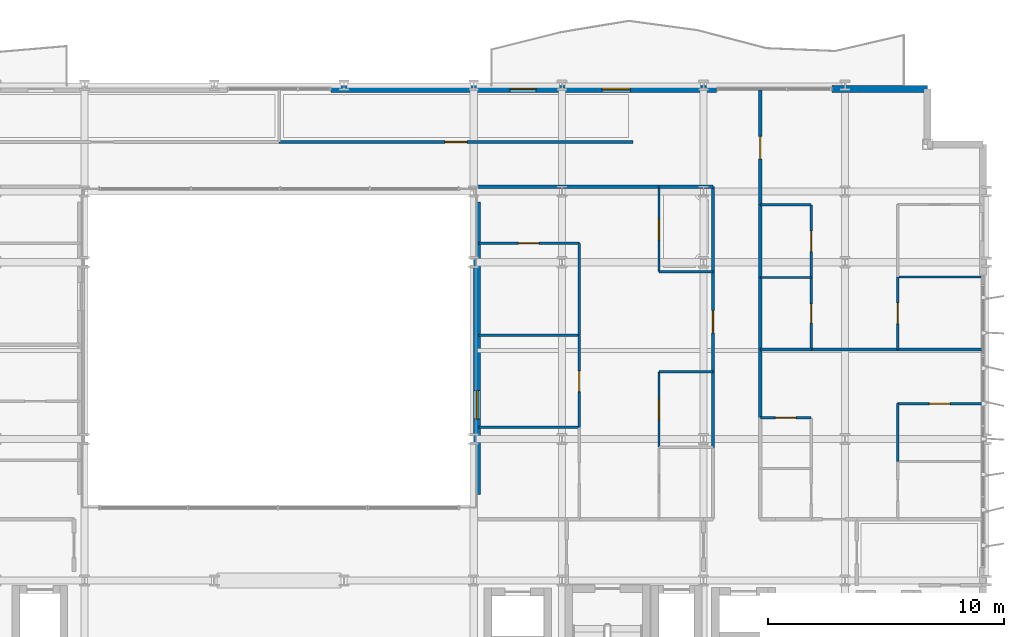
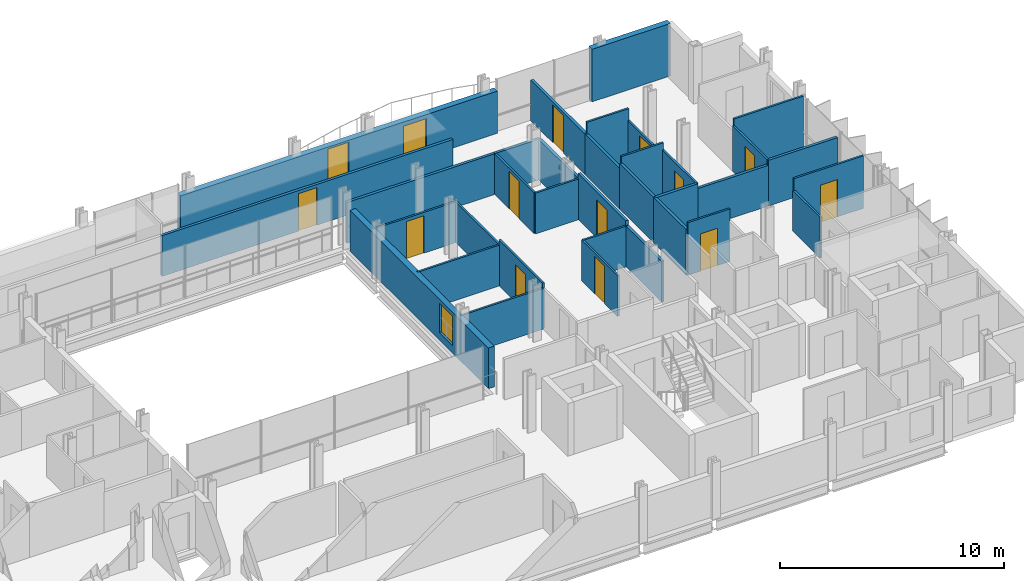
# One storey, part 32 of 39: 34 walls, 13 doors, 2 windows, 15 openings.
"""IFC4 building model written with IfcOpenShell, lengths in metres."""

from ifc_helpers import new_model, si_unit, direction, frame, frame_2d, origin, place, context, subcontext, project, spatial, rectangle, extrude, material, layer, layer_set, type_object, element, fill, save


model = new_model("IFC4")

# Units and contexts
model_context = context("Model", 3, precision=1e-05, world=origin(), true_north=direction((0.0, 1.0)))
body_context = subcontext(model_context, "Body", "Model", "MODEL_VIEW")
ifc_project = project(units=[si_unit("LENGTHUNIT", "METRE"), si_unit("AREAUNIT", "SQUARE_METRE"), si_unit("VOLUMEUNIT", "CUBIC_METRE"), si_unit("PLANEANGLEUNIT", "RADIAN"), si_unit("MASSUNIT", "GRAM", prefix="KILO")], contexts=[model_context])

# Site, building, storey
site_placement = place(None, origin())
site = spatial("IfcSite", under=ifc_project, at=site_placement, CompositionType="ELEMENT")
building_placement = place(site_placement, origin())
building = spatial("IfcBuilding", under=site, at=building_placement, Name="Brevholm Reach", CompositionType="ELEMENT")
storey_placement = place(building_placement, frame((0.0, 0.0, 40.39990234375)))
storey = spatial("IfcBuildingStorey", under=building, at=storey_placement, Name="L10", CompositionType="ELEMENT", Elevation=40.39990234375)

# Wall
ifc_material_1 = material(Name="Concrete C40/50", Category="concrete")
ifc_layer_1 = layer(ifc_material_1, 0.300048828125)
ifc_layer_set_1 = layer_set([ifc_layer_1], Name="Concrete C40/50")
wall_type_1 = type_object("IfcWallType", Name="WAL-EXT-300", PredefinedType="STANDARD", material=ifc_layer_set_1)
wall_1_placement = place(storey_placement, frame((53.449951171875, 30.85009765625, 0.0), z_axis=(0.0, 0.0, 1.0), x_axis=(1.0, 0.0, 0.0)))
element("IfcWall", 1, at=wall_1_placement, inside=storey, type_object=wall_type_1, Name="L10 Facade Wall WAL-L10-NP-E0", PredefinedType="STANDARD", context=body_context, shape_type="SweptSolid", body=[
    extrude(rectangle(XDim=4.050048828125, YDim=0.300048828125, at=frame_2d((2.02490234375, 0.0))), origin(), (0.0, 0.0, 1.0), 2.8701171875),
])

# Wall, openings, door, window
wall_2_placement = place(storey_placement, frame((32.199951171875, 30.85009765625, 0.0), z_axis=(0.0, 0.0, 1.0), x_axis=(1.0, 0.0, 0.0)))
wall_2 = element("IfcWall", 2, at=wall_2_placement, inside=storey, type_object=wall_type_1, Name="L10 Facade Wall WAL-L10-NP-ER", PredefinedType="STANDARD", context=body_context, shape_type="SweptSolid", body=[
    extrude(rectangle(XDim=16.35009765625, YDim=0.300048828125, at=frame_2d((8.175048828125, 0.0))), origin(), (0.0, 0.0, 1.0), 2.3056640625),
])
opening_1_placement = place(wall_2_placement, frame((7.60009765625, 0.0, 0.0)))
opening_1 = element("IfcOpeningElement", 3, at=opening_1_placement, cuts=wall_2, Name="Opening BD-01", PredefinedType="OPENING", context=body_context, shape_type="SweptSolid", body=[
    extrude(rectangle(XDim=1.10009765625, YDim=2.199951171875, at=frame_2d((0.550048828125, 1.10009765625))), frame((0.0, 0.159912109375, 0.0), z_axis=(0.0, -1.0, 0.0), x_axis=(1.0, 0.0, 0.0)), (0.0, 0.0, 1.0), 0.320068359375),
])
opening_2_placement = place(wall_2_placement, frame((11.5, 0.0, 0.486083984375)))
opening_2 = element("IfcOpeningElement", 4, at=opening_2_placement, cuts=wall_2, Name="Opening WN-08", PredefinedType="OPENING", context=body_context, shape_type="SweptSolid", body=[
    extrude(rectangle(XDim=1.199951171875, YDim=1.60009765625, at=frame_2d((0.60009765625, 0.800048828125))), frame((0.0, 0.159912109375, 0.0), z_axis=(0.0, -1.0, 0.0), x_axis=(1.0, 0.0, 0.0)), (0.0, 0.0, 1.0), 0.320068359375),
])
ifc_material_2 = material(Name="Dark Anodised Aluminium and Triple-Glazed Glass", Category="aluminium")
door_type_1 = type_object("IfcDoorType", Name="DOR-BALC-1100", OperationType="NOTDEFINED", PredefinedType="DOOR", material=ifc_material_2)
door_1_placement = place(opening_1_placement, origin())
door_1 = element("IfcDoor", 5, at=door_1_placement, inside=storey, type_object=door_type_1, Name="L10 Exterior Door DOR-L10-BL-NE", OperationType="SINGLE_SWING_LEFT", OverallHeight=2.199951171875, OverallWidth=1.10009765625, PredefinedType="DOOR", context=body_context, shape_type="SweptSolid", body=[
    extrude(rectangle(XDim=1.10009765625, YDim=2.199951171875, at=frame_2d((0.550048828125, 1.10009765625))), frame((0.0, 0.02490234375, 0.0), z_axis=(0.0, -1.0, 0.0), x_axis=(1.0, 0.0, 0.0)), (0.0, 0.0, 1.0), 0.050048828125),
])
fill(opening_1, door_1)
ifc_material_3 = material(Name="Dark Anodised Aluminium and Solar-Control IGU Glass", Category="aluminium")
window_type = type_object("IfcWindowType", Name="WIN-RES-1200", PartitioningType="SINGLE_PANEL", PredefinedType="WINDOW", material=ifc_material_3)
window_1_placement = place(opening_2_placement, origin())
window_1 = element("IfcWindow", 6, at=window_1_placement, inside=storey, type_object=window_type, Name="L10 Window WIN-L10-NP-ER1", OverallHeight=1.60009765625, OverallWidth=1.199951171875, PartitioningType="SINGLE_PANEL", PredefinedType="WINDOW", context=body_context, shape_type="SweptSolid", body=[
    extrude(rectangle(XDim=1.199951171875, YDim=1.60009765625, at=frame_2d((0.60009765625, 0.800048828125))), frame((0.0, 0.030029296875, 0.0), z_axis=(0.0, -1.0, 0.0), x_axis=(1.0, 0.0, 0.0)), (0.0, 0.0, 1.0), 0.06005859375),
])
fill(opening_2, window_1)

# Wall, opening, window
wall_3_placement = place(storey_placement, frame((38.39990234375, 13.64990234375, 0.0), z_axis=(0.0, 0.0, 1.0), x_axis=(0.0, 1.0, 0.0)))
wall_3 = element("IfcWall", 7, at=wall_3_placement, inside=storey, type_object=wall_type_1, Name="L10 Facade Wall WAL-L10-AT-E", PredefinedType="STANDARD", context=body_context, shape_type="SweptSolid", body=[
    extrude(rectangle(XDim=12.400146484375, YDim=0.300048828125, at=frame_2d((6.2001953125, 0.0))), origin(), (0.0, 0.0, 1.0), 2.224853515625),
])
opening_3_placement = place(wall_3_placement, frame((3.199951171875, 0.0, 0.405029296875)))
opening_3 = element("IfcOpeningElement", 8, at=opening_3_placement, cuts=wall_3, Name="Opening WN-08", PredefinedType="OPENING", context=body_context, shape_type="SweptSolid", body=[
    extrude(rectangle(XDim=1.199951171875, YDim=1.60009765625, at=frame_2d((0.60009765625, 0.800048828125))), frame((0.0, 0.159912109375, 0.0), z_axis=(0.0, -1.0, 0.0), x_axis=(1.0, 0.0, 0.0)), (0.0, 0.0, 1.0), 0.320068359375),
])
window_2_placement = place(opening_3_placement, origin())
window_2 = element("IfcWindow", 9, at=window_2_placement, inside=storey, type_object=window_type, Name="L10 Window WIN-L10-AT-E1", OverallHeight=1.60009765625, OverallWidth=1.199951171875, PartitioningType="SINGLE_PANEL", PredefinedType="WINDOW", context=body_context, shape_type="SweptSolid", body=[
    extrude(rectangle(XDim=1.199951171875, YDim=1.60009765625, at=frame_2d((0.60009765625, 0.800048828125))), frame((0.0, 0.030029296875, 0.0), z_axis=(0.0, -1.0, 0.0), x_axis=(1.0, 0.0, 0.0)), (0.0, 0.0, 1.0), 0.06005859375),
])
fill(opening_3, window_2)

# Wall
ifc_material_4 = material(Name="Moisture-Resistant Acoustic Gypsum Stud Partition 100 mm", Category="gypsum")
ifc_layer_2 = layer(ifc_material_4, 0.10009765625)
ifc_layer_set_2 = layer_set([ifc_layer_2], Name="Moisture-Resistant Acoustic Gypsum Stud Partition 100 mm")
wall_type_2 = type_object("IfcWallType", Name="WAL-PRT-100", PredefinedType="PARTITIONING", material=ifc_layer_set_2)
wall_4_placement = place(storey_placement, frame((46.112060546875, 18.85009765625, 0.0), z_axis=(0.0, 0.0, 1.0), x_axis=(1.0, 0.0, 0.0)))
element("IfcWall", 10, at=wall_4_placement, inside=storey, type_object=wall_type_2, Name="L10 Internal Partition 130", PredefinedType="PARTITIONING", context=body_context, shape_type="SweptSolid", body=[
    extrude(rectangle(XDim=2.283935546875, YDim=0.10009765625, at=frame_2d((1.14208984375, 0.0))), origin(), (0.0, 0.0, 1.0), 2.224853515625),
])

# Wall, opening, door
wall_5_placement = place(storey_placement, frame((46.112060546875, 15.654052734375, 0.0), z_axis=(0.0, 0.0, 1.0), x_axis=(0.0, 1.0, 0.0)))
wall_5 = element("IfcWall", 11, at=wall_5_placement, inside=storey, type_object=wall_type_2, Name="L10 Internal Partition 131", PredefinedType="PARTITIONING", context=body_context, shape_type="SweptSolid", body=[
    extrude(rectangle(XDim=3.196044921875, YDim=0.10009765625, at=frame_2d((1.59814453125, 0.0))), origin(), (0.0, 0.0, 1.0), 2.224853515625),
])
opening_4_placement = place(wall_5_placement, frame((1.157958984375, 0.0, 0.0)))
opening_4 = element("IfcOpeningElement", 12, at=opening_4_placement, cuts=wall_5, Name="Opening ID-01", PredefinedType="OPENING", context=body_context, shape_type="SweptSolid", body=[
    extrude(rectangle(XDim=0.8798828125, YDim=2.0400390625, at=frame_2d((0.43994140625, 1.02001953125))), frame((0.0, 0.06005859375, 0.0), z_axis=(0.0, -1.0, 0.0), x_axis=(1.0, 0.0, 0.0)), (0.0, 0.0, 1.0), 0.1201171875),
])
ifc_material_5 = material(Name="Lacquered Ash Solid-Core Acoustic Internal Door", Category="timber")
door_type_2 = type_object("IfcDoorType", Name="DOR-INT-880", OperationType="NOTDEFINED", PredefinedType="DOOR", material=ifc_material_5)
door_2_placement = place(opening_4_placement, origin())
door_2 = element("IfcDoor", 13, at=door_2_placement, inside=storey, type_object=door_type_2, Name="L10 Internal Door 050", OperationType="SINGLE_SWING_RIGHT", OverallHeight=2.0400390625, OverallWidth=0.8798828125, PredefinedType="DOOR", context=body_context, shape_type="SweptSolid", body=[
    extrude(rectangle(XDim=0.8798828125, YDim=2.0400390625, at=frame_2d((0.43994140625, 1.02001953125))), frame((0.0, 0.02490234375, 0.0), z_axis=(0.0, -1.0, 0.0), x_axis=(1.0, 0.0, 0.0)), (0.0, 0.0, 1.0), 0.050048828125),
])
fill(opening_4, door_2)

# Wall
wall_6_placement = place(storey_placement, frame((46.112060546875, 23.10009765625, 0.0), z_axis=(0.0, 0.0, 1.0), x_axis=(1.0, 0.0, 0.0)))
element("IfcWall", 14, at=wall_6_placement, inside=storey, type_object=wall_type_2, Name="L10 Internal Partition 132", PredefinedType="PARTITIONING", context=body_context, shape_type="SweptSolid", body=[
    extrude(rectangle(XDim=2.283935546875, YDim=0.10009765625, at=frame_2d((1.14208984375, 0.0))), origin(), (0.0, 0.0, 1.0), 2.224853515625),
])

# Wall, opening, door
wall_7_placement = place(storey_placement, frame((46.112060546875, 23.10009765625, 0.0), z_axis=(0.0, 0.0, 1.0), x_axis=(0.0, 1.0, 0.0)))
wall_7 = element("IfcWall", 15, at=wall_7_placement, inside=storey, type_object=wall_type_2, Name="L10 Internal Partition 133", PredefinedType="PARTITIONING", context=body_context, shape_type="SweptSolid", body=[
    extrude(rectangle(XDim=3.595947265625, YDim=0.10009765625, at=frame_2d((1.7978515625, 0.0))), origin(), (0.0, 0.0, 1.0), 2.224853515625),
])
opening_5_placement = place(wall_7_placement, frame((1.35791015625, 0.0, 0.0)))
opening_5 = element("IfcOpeningElement", 16, at=opening_5_placement, cuts=wall_7, Name="Opening ID-01", PredefinedType="OPENING", context=body_context, shape_type="SweptSolid", body=[
    extrude(rectangle(XDim=0.8798828125, YDim=2.0400390625, at=frame_2d((0.43994140625, 1.02001953125))), frame((0.0, 0.06005859375, 0.0), z_axis=(0.0, -1.0, 0.0), x_axis=(1.0, 0.0, 0.0)), (0.0, 0.0, 1.0), 0.1201171875),
])
door_3_placement = place(opening_5_placement, origin())
door_3 = element("IfcDoor", 17, at=door_3_placement, inside=storey, type_object=door_type_2, Name="L10 Internal Door 051", OperationType="SINGLE_SWING_LEFT", OverallHeight=2.0400390625, OverallWidth=0.8798828125, PredefinedType="DOOR", context=body_context, shape_type="SweptSolid", body=[
    extrude(rectangle(XDim=0.8798828125, YDim=2.0400390625, at=frame_2d((0.43994140625, 1.02001953125))), frame((0.0, 0.02490234375, 0.0), z_axis=(0.0, -1.0, 0.0), x_axis=(1.0, 0.0, 0.0)), (0.0, 0.0, 1.0), 0.050048828125),
])
fill(opening_5, door_3)

# Walls
for number, where, z_axis, x_axis, name in (
    (18, (38.449951171875, 16.5, 0.0), (0.0, 0.0, 1.0), (1.0, 0.0, 0.0), "L10 Internal Partition 134"),
    (19, (38.449951171875, 20.39990234375, 0.0), (0.0, 0.0, 1.0), (1.0, 0.0, 0.0), "L10 Internal Partition 136"),
):
    element("IfcWall", number, at=place(storey_placement, frame(where, z_axis=z_axis, x_axis=x_axis)), inside=storey, type_object=wall_type_2, Name=name, PredefinedType="PARTITIONING", context=body_context, shape_type="SweptSolid", body=[
        extrude(rectangle(XDim=4.278076171875, YDim=0.10009765625, at=frame_2d((2.13916015625, 0.0))), origin(), (0.0, 0.0, 1.0), 2.224853515625),
    ])

# Wall, opening, door
wall_8_placement = place(storey_placement, frame((42.72802734375, 16.50390625, 0.0), z_axis=(0.0, 0.0, 1.0), x_axis=(0.0, 1.0, 0.0)))
wall_8 = element("IfcWall", 20, at=wall_8_placement, inside=storey, type_object=wall_type_2, Name="L10 Internal Partition 137", PredefinedType="PARTITIONING", context=body_context, shape_type="SweptSolid", body=[
    extrude(rectangle(XDim=3.89599609375, YDim=0.10009765625, at=frame_2d((1.947998046875, 0.0))), origin(), (0.0, 0.0, 1.0), 2.489990234375),
])
opening_6_placement = place(wall_8_placement, frame((1.508056640625, 0.0, 0.0)))
opening_6 = element("IfcOpeningElement", 21, at=opening_6_placement, cuts=wall_8, Name="Opening ID-01", PredefinedType="OPENING", context=body_context, shape_type="SweptSolid", body=[
    extrude(rectangle(XDim=0.8798828125, YDim=2.0400390625, at=frame_2d((0.43994140625, 1.02001953125))), frame((0.0, 0.06005859375, 0.0), z_axis=(0.0, -1.0, 0.0), x_axis=(1.0, 0.0, 0.0)), (0.0, 0.0, 1.0), 0.1201171875),
])
door_4_placement = place(opening_6_placement, origin())
door_4 = element("IfcDoor", 22, at=door_4_placement, inside=storey, type_object=door_type_2, Name="L10 Internal Door 053", OperationType="SINGLE_SWING_LEFT", OverallHeight=2.0400390625, OverallWidth=0.8798828125, PredefinedType="DOOR", context=body_context, shape_type="SweptSolid", body=[
    extrude(rectangle(XDim=0.8798828125, YDim=2.0400390625, at=frame_2d((0.43994140625, 1.02001953125))), frame((0.0, 0.02490234375, 0.0), z_axis=(0.0, -1.0, 0.0), x_axis=(1.0, 0.0, 0.0)), (0.0, 0.0, 1.0), 0.050048828125),
])
fill(opening_6, door_4)

# Wall
wall_9_placement = place(storey_placement, frame((42.72802734375, 20.404052734375, 0.0), z_axis=(0.0, 0.0, 1.0), x_axis=(0.0, 1.0, 0.0)))
element("IfcWall", 23, at=wall_9_placement, inside=storey, type_object=wall_type_2, Name="L10 Internal Partition 138", PredefinedType="PARTITIONING", context=body_context, shape_type="SweptSolid", body=[
    extrude(rectangle(XDim=3.89599609375, YDim=0.10009765625, at=frame_2d((1.947998046875, 0.0))), origin(), (0.0, 0.0, 1.0), 2.224853515625),
])

# Wall, opening, door
wall_10_placement = place(storey_placement, frame((38.449951171875, 24.300048828125, 0.0), z_axis=(0.0, 0.0, 1.0), x_axis=(1.0, 0.0, 0.0)))
wall_10 = element("IfcWall", 24, at=wall_10_placement, inside=storey, type_object=wall_type_2, Name="L10 Internal Partition 139", PredefinedType="PARTITIONING", context=body_context, shape_type="SweptSolid", body=[
    extrude(rectangle(XDim=4.278076171875, YDim=0.10009765625, at=frame_2d((2.13916015625, 0.0))), origin(), (0.0, 0.0, 1.0), 2.224853515625),
])
opening_7_placement = place(wall_10_placement, frame((1.698974609375, 0.0, 0.0)))
opening_7 = element("IfcOpeningElement", 25, at=opening_7_placement, cuts=wall_10, Name="Opening ID-01", PredefinedType="OPENING", context=body_context, shape_type="SweptSolid", body=[
    extrude(rectangle(XDim=0.8798828125, YDim=2.0400390625, at=frame_2d((0.43994140625, 1.02001953125))), frame((0.0, 0.06005859375, 0.0), z_axis=(0.0, -1.0, 0.0), x_axis=(1.0, 0.0, 0.0)), (0.0, 0.0, 1.0), 0.1201171875),
])
door_5_placement = place(opening_7_placement, origin())
door_5 = element("IfcDoor", 26, at=door_5_placement, inside=storey, type_object=door_type_2, Name="L10 Internal Door 054", OperationType="SINGLE_SWING_RIGHT", OverallHeight=2.0400390625, OverallWidth=0.8798828125, PredefinedType="DOOR", context=body_context, shape_type="SweptSolid", body=[
    extrude(rectangle(XDim=0.8798828125, YDim=2.0400390625, at=frame_2d((0.43994140625, 1.02001953125))), frame((0.0, 0.02490234375, 0.0), z_axis=(0.0, -1.0, 0.0), x_axis=(1.0, 0.0, 0.0)), (0.0, 0.0, 1.0), 0.050048828125),
])
fill(opening_7, door_5)

wall_11_placement = place(storey_placement, frame((50.404052734375, 16.89990234375, 0.0), z_axis=(0.0, 0.0, 1.0), x_axis=(1.0, 0.0, 0.0)))
wall_11 = element("IfcWall", 27, at=wall_11_placement, inside=storey, type_object=wall_type_2, Name="L10 Internal Partition 143", PredefinedType="PARTITIONING", context=body_context, shape_type="SweptSolid", body=[
    extrude(rectangle(XDim=2.157958984375, YDim=0.10009765625, at=frame_2d((1.0791015625, 0.0))), origin(), (0.0, 0.0, 1.0), 2.8701171875),
])
opening_8_placement = place(wall_11_placement, frame((0.638916015625, 0.0, 0.0)))
opening_8 = element("IfcOpeningElement", 28, at=opening_8_placement, cuts=wall_11, Name="Opening ID-01", PredefinedType="OPENING", context=body_context, shape_type="SweptSolid", body=[
    extrude(rectangle(XDim=0.8798828125, YDim=2.0400390625, at=frame_2d((0.43994140625, 1.02001953125))), frame((0.0, 0.06005859375, 0.0), z_axis=(0.0, -1.0, 0.0), x_axis=(1.0, 0.0, 0.0)), (0.0, 0.0, 1.0), 0.1201171875),
])
door_6_placement = place(opening_8_placement, origin())
door_6 = element("IfcDoor", 29, at=door_6_placement, inside=storey, type_object=door_type_2, Name="L10 Internal Door 056", OperationType="SINGLE_SWING_RIGHT", OverallHeight=2.0400390625, OverallWidth=0.8798828125, PredefinedType="DOOR", context=body_context, shape_type="SweptSolid", body=[
    extrude(rectangle(XDim=0.8798828125, YDim=2.0400390625, at=frame_2d((0.43994140625, 1.02001953125))), frame((0.0, 0.02490234375, 0.0), z_axis=(0.0, -1.0, 0.0), x_axis=(1.0, 0.0, 0.0)), (0.0, 0.0, 1.0), 0.050048828125),
])
fill(opening_8, door_6)

wall_12_placement = place(storey_placement, frame((56.22802734375, 17.5, 0.0), z_axis=(0.0, 0.0, 1.0), x_axis=(1.0, 0.0, 0.0)))
wall_12 = element("IfcWall", 30, at=wall_12_placement, inside=storey, type_object=wall_type_2, Name="L10 Internal Partition 146", PredefinedType="PARTITIONING", context=body_context, shape_type="SweptSolid", body=[
    extrude(rectangle(XDim=3.572021484375, YDim=0.10009765625, at=frame_2d((1.7861328125, 0.0))), origin(), (0.0, 0.0, 1.0), 2.8701171875),
])
opening_9_placement = place(wall_12_placement, frame((1.345947265625, 0.0, 0.0)))
opening_9 = element("IfcOpeningElement", 31, at=opening_9_placement, cuts=wall_12, Name="Opening ID-01", PredefinedType="OPENING", context=body_context, shape_type="SweptSolid", body=[
    extrude(rectangle(XDim=0.8798828125, YDim=2.0400390625, at=frame_2d((0.43994140625, 1.02001953125))), frame((0.0, 0.06005859375, 0.0), z_axis=(0.0, -1.0, 0.0), x_axis=(1.0, 0.0, 0.0)), (0.0, 0.0, 1.0), 0.1201171875),
])
door_7_placement = place(opening_9_placement, origin())
door_7 = element("IfcDoor", 32, at=door_7_placement, inside=storey, type_object=door_type_2, Name="L10 Internal Door 058", OperationType="SINGLE_SWING_RIGHT", OverallHeight=2.0400390625, OverallWidth=0.8798828125, PredefinedType="DOOR", context=body_context, shape_type="SweptSolid", body=[
    extrude(rectangle(XDim=0.8798828125, YDim=2.0400390625, at=frame_2d((0.43994140625, 1.02001953125))), frame((0.0, 0.02490234375, 0.0), z_axis=(0.0, -1.0, 0.0), x_axis=(1.0, 0.0, 0.0)), (0.0, 0.0, 1.0), 0.050048828125),
])
fill(opening_9, door_7)

# Walls
wall_13_placement = place(storey_placement, frame((56.22802734375, 15.053955078125, 0.0), z_axis=(0.0, 0.0, 1.0), x_axis=(0.0, 1.0, 0.0)))
element("IfcWall", 33, at=wall_13_placement, inside=storey, type_object=wall_type_2, Name="L10 Internal Partition 147", PredefinedType="PARTITIONING", context=body_context, shape_type="SweptSolid", body=[
    extrude(rectangle(XDim=2.446044921875, YDim=0.10009765625, at=frame_2d((1.22314453125, 0.0))), origin(), (0.0, 0.0, 1.0), 2.224853515625),
])
wall_14_placement = place(storey_placement, frame((50.404052734375, 22.85009765625, 0.0), z_axis=(0.0, 0.0, 1.0), x_axis=(1.0, 0.0, 0.0)))
element("IfcWall", 34, at=wall_14_placement, inside=storey, type_object=wall_type_2, Name="L10 Internal Partition 151", PredefinedType="PARTITIONING", context=body_context, shape_type="SweptSolid", body=[
    extrude(rectangle(XDim=2.157958984375, YDim=0.10009765625, at=frame_2d((1.0791015625, 0.0))), origin(), (0.0, 0.0, 1.0), 2.8701171875),
])

# Wall, opening, door
wall_15_placement = place(storey_placement, frame((52.56201171875, 19.803955078125, 0.0), z_axis=(0.0, 0.0, 1.0), x_axis=(0.0, 1.0, 0.0)))
wall_15 = element("IfcWall", 35, at=wall_15_placement, inside=storey, type_object=wall_type_2, Name="L10 Internal Partition 152", PredefinedType="PARTITIONING", context=body_context, shape_type="SweptSolid", body=[
    extrude(rectangle(XDim=3.046142578125, YDim=0.10009765625, at=frame_2d((1.52294921875, 0.0))), origin(), (0.0, 0.0, 1.0), 2.489990234375),
])
opening_10_placement = place(wall_15_placement, frame((1.113037109375, 0.0, 0.0)))
opening_10 = element("IfcOpeningElement", 36, at=opening_10_placement, cuts=wall_15, Name="Opening ID-03", PredefinedType="OPENING", context=body_context, shape_type="SweptSolid", body=[
    extrude(rectangle(XDim=0.820068359375, YDim=2.02001953125, at=frame_2d((0.41015625, 1.010009765625))), frame((0.0, 0.06005859375, 0.0), z_axis=(0.0, -1.0, 0.0), x_axis=(1.0, 0.0, 0.0)), (0.0, 0.0, 1.0), 0.1201171875),
])
ifc_material_6 = material(Name="Moisture-Resistant Painted Timber Internal Bathroom Door", Category="wood")
door_type_3 = type_object("IfcDoorType", Name="DOR-BATH-820", OperationType="NOTDEFINED", PredefinedType="DOOR", material=ifc_material_6)
door_8_placement = place(opening_10_placement, origin())
door_8 = element("IfcDoor", 37, at=door_8_placement, inside=storey, type_object=door_type_3, Name="L10 Internal Door 059", OperationType="SINGLE_SWING_LEFT", OverallHeight=2.02001953125, OverallWidth=0.820068359375, PredefinedType="DOOR", context=body_context, shape_type="SweptSolid", body=[
    extrude(rectangle(XDim=0.820068359375, YDim=2.02001953125, at=frame_2d((0.41015625, 1.010009765625))), frame((0.0, 0.02490234375, 0.0), z_axis=(0.0, -1.0, 0.0), x_axis=(1.0, 0.0, 0.0)), (0.0, 0.0, 1.0), 0.050048828125),
])
fill(opening_10, door_8)

wall_16_placement = place(storey_placement, frame((52.56201171875, 22.85400390625, 0.0), z_axis=(0.0, 0.0, 1.0), x_axis=(0.0, 1.0, 0.0)))
wall_16 = element("IfcWall", 38, at=wall_16_placement, inside=storey, type_object=wall_type_2, Name="L10 Internal Partition 153", PredefinedType="PARTITIONING", context=body_context, shape_type="SweptSolid", body=[
    extrude(rectangle(XDim=3.075927734375, YDim=0.10009765625, at=frame_2d((1.5380859375, 0.0))), origin(), (0.0, 0.0, 1.0), 2.224853515625),
])
opening_11_placement = place(wall_16_placement, frame((1.097900390625, 0.0, 0.0)))
opening_11 = element("IfcOpeningElement", 39, at=opening_11_placement, cuts=wall_16, Name="Opening ID-01", PredefinedType="OPENING", context=body_context, shape_type="SweptSolid", body=[
    extrude(rectangle(XDim=0.8798828125, YDim=2.0400390625, at=frame_2d((0.43994140625, 1.02001953125))), frame((0.0, 0.06005859375, 0.0), z_axis=(0.0, -1.0, 0.0), x_axis=(1.0, 0.0, 0.0)), (0.0, 0.0, 1.0), 0.1201171875),
])
door_9_placement = place(opening_11_placement, origin())
door_9 = element("IfcDoor", 40, at=door_9_placement, inside=storey, type_object=door_type_2, Name="L10 Internal Door 060", OperationType="SINGLE_SWING_RIGHT", OverallHeight=2.0400390625, OverallWidth=0.8798828125, PredefinedType="DOOR", context=body_context, shape_type="SweptSolid", body=[
    extrude(rectangle(XDim=0.8798828125, YDim=2.0400390625, at=frame_2d((0.43994140625, 1.02001953125))), frame((0.0, 0.02490234375, 0.0), z_axis=(0.0, -1.0, 0.0), x_axis=(1.0, 0.0, 0.0)), (0.0, 0.0, 1.0), 0.050048828125),
])
fill(opening_11, door_9)

# Walls
wall_17_placement = place(storey_placement, frame((50.404052734375, 25.929931640625, 0.0), z_axis=(0.0, 0.0, 1.0), x_axis=(1.0, 0.0, 0.0)))
element("IfcWall", 41, at=wall_17_placement, inside=storey, type_object=wall_type_2, Name="L10 Internal Partition 154", PredefinedType="PARTITIONING", context=body_context, shape_type="SweptSolid", body=[
    extrude(rectangle(XDim=2.157958984375, YDim=0.10009765625, at=frame_2d((1.0791015625, 0.0))), origin(), (0.0, 0.0, 1.0), 2.8701171875),
])
wall_18_placement = place(storey_placement, frame((56.22802734375, 22.875, 0.0), z_axis=(0.0, 0.0, 1.0), x_axis=(1.0, 0.0, 0.0)))
element("IfcWall", 42, at=wall_18_placement, inside=storey, type_object=wall_type_2, Name="L10 Internal Partition 155", PredefinedType="PARTITIONING", context=body_context, shape_type="SweptSolid", body=[
    extrude(rectangle(XDim=3.572021484375, YDim=0.10009765625, at=frame_2d((1.7861328125, 0.0))), origin(), (0.0, 0.0, 1.0), 2.8701171875),
])

# Wall, opening, door
wall_19_placement = place(storey_placement, frame((56.22802734375, 19.803955078125, 0.0), z_axis=(0.0, 0.0, 1.0), x_axis=(0.0, 1.0, 0.0)))
wall_19 = element("IfcWall", 43, at=wall_19_placement, inside=storey, type_object=wall_type_2, Name="L10 Internal Partition 156", PredefinedType="PARTITIONING", context=body_context, shape_type="SweptSolid", body=[
    extrude(rectangle(XDim=3.071044921875, YDim=0.10009765625, at=frame_2d((1.53564453125, 0.0))), origin(), (0.0, 0.0, 1.0), 2.489990234375),
])
opening_12_placement = place(wall_19_placement, frame((1.095458984375, 0.0, 0.0)))
opening_12 = element("IfcOpeningElement", 44, at=opening_12_placement, cuts=wall_19, Name="Opening ID-01", PredefinedType="OPENING", context=body_context, shape_type="SweptSolid", body=[
    extrude(rectangle(XDim=0.8798828125, YDim=2.0400390625, at=frame_2d((0.43994140625, 1.02001953125))), frame((0.0, 0.06005859375, 0.0), z_axis=(0.0, -1.0, 0.0), x_axis=(1.0, 0.0, 0.0)), (0.0, 0.0, 1.0), 0.1201171875),
])
door_10_placement = place(opening_12_placement, origin())
door_10 = element("IfcDoor", 45, at=door_10_placement, inside=storey, type_object=door_type_2, Name="L10 Internal Door 061", OperationType="SINGLE_SWING_LEFT", OverallHeight=2.0400390625, OverallWidth=0.8798828125, PredefinedType="DOOR", context=body_context, shape_type="SweptSolid", body=[
    extrude(rectangle(XDim=0.8798828125, YDim=2.0400390625, at=frame_2d((0.43994140625, 1.02001953125))), frame((0.0, 0.02490234375, 0.0), z_axis=(0.0, -1.0, 0.0), x_axis=(1.0, 0.0, 0.0)), (0.0, 0.0, 1.0), 0.050048828125),
])
fill(opening_12, door_10)

# Walls
ifc_material_7 = material(Name="Twin-Stud Acoustic Fire-Rated Gypsum Partition 140 mm", Category="gypsum")
ifc_layer_3 = layer(ifc_material_7, 0.139892578125)
ifc_layer_set_3 = layer_set([ifc_layer_3], Name="Twin-Stud Acoustic Fire-Rated Gypsum Partition 140 mm")
wall_type_3 = type_object("IfcWallType", Name="WAL-PRT-140", PredefinedType="PARTITIONING", material=ifc_layer_set_3)
wall_20_placement = place(storey_placement, frame((48.39990234375, 15.642578125, 0.0), z_axis=(0.0, 0.0, 1.0), x_axis=(0.0, 1.0, 0.0)))
element("IfcWall", 46, at=wall_20_placement, inside=storey, type_object=wall_type_3, Name="L10 Internal Partition 051", PredefinedType="PARTITIONING", context=body_context, shape_type="SweptSolid", body=[
    extrude(rectangle(XDim=3.21875, YDim=0.139892578125, at=frame_2d((1.609375, 0.0))), origin(), (0.0, 0.0, 1.0), 2.224853515625),
])
wall_21_placement = place(storey_placement, frame((48.39990234375, 23.088623046875, 0.0), z_axis=(0.0, 0.0, 1.0), x_axis=(0.0, 1.0, 0.0)))
element("IfcWall", 47, at=wall_21_placement, inside=storey, type_object=wall_type_3, Name="L10 Internal Partition 052", PredefinedType="PARTITIONING", context=body_context, shape_type="SweptSolid", body=[
    extrude(rectangle(XDim=3.61865234375, YDim=0.139892578125, at=frame_2d((1.809326171875, 0.0))), origin(), (0.0, 0.0, 1.0), 2.224853515625),
])

# Wall, opening, door
wall_22_placement = place(storey_placement, frame((48.39990234375, 18.8427734375, 0.0), z_axis=(0.0, 0.0, 1.0), x_axis=(0.0, 1.0, 0.0)))
wall_22 = element("IfcWall", 48, at=wall_22_placement, inside=storey, type_object=wall_type_3, Name="L10 Internal Partition 053", PredefinedType="PARTITIONING", context=body_context, shape_type="SweptSolid", body=[
    extrude(rectangle(XDim=4.2646484375, YDim=0.139892578125, at=frame_2d((2.13232421875, 0.0))), origin(), (0.0, 0.0, 1.0), 2.489990234375),
])
opening_13_placement = place(wall_22_placement, frame((1.6572265625, 0.0, 0.0)))
opening_13 = element("IfcOpeningElement", 49, at=opening_13_placement, cuts=wall_22, Name="Opening ID-30", PredefinedType="OPENING", context=body_context, shape_type="SweptSolid", body=[
    extrude(rectangle(XDim=0.949951171875, YDim=2.050048828125, at=frame_2d((0.47509765625, 1.02490234375))), frame((0.0, 0.079833984375, 0.0), z_axis=(0.0, -1.0, 0.0), x_axis=(1.0, 0.0, 0.0)), (0.0, 0.0, 1.0), 0.159912109375),
])
ifc_material_8 = material(Name="European Oak Veneered Solid-Core Fire Entrance Door", Category="timber")
door_type_4 = type_object("IfcDoorType", Name="DOR-FLT-FD30S", OperationType="NOTDEFINED", PredefinedType="DOOR", material=ifc_material_8)
door_11_placement = place(opening_13_placement, origin())
door_11 = element("IfcDoor", 50, at=door_11_placement, inside=storey, type_object=door_type_4, Name="L10 Internal Door 021", OperationType="SINGLE_SWING_LEFT", OverallHeight=2.050048828125, OverallWidth=0.949951171875, PredefinedType="DOOR", context=body_context, shape_type="SweptSolid", body=[
    extrude(rectangle(XDim=0.949951171875, YDim=2.050048828125, at=frame_2d((0.47509765625, 1.02490234375))), frame((0.0, 0.02490234375, 0.0), z_axis=(0.0, -1.0, 0.0), x_axis=(1.0, 0.0, 0.0)), (0.0, 0.0, 1.0), 0.050048828125),
])
fill(opening_13, door_11)

# Walls
wall_23_placement = place(storey_placement, frame((50.39990234375, 16.892578125, 0.0), z_axis=(0.0, 0.0, 1.0), x_axis=(0.0, 1.0, 0.0)))
element("IfcWall", 51, at=wall_23_placement, inside=storey, type_object=wall_type_3, Name="L10 Internal Partition 056", PredefinedType="PARTITIONING", context=body_context, shape_type="SweptSolid", body=[
    extrude(rectangle(XDim=2.918701171875, YDim=0.139892578125, at=frame_2d((1.45947265625, 0.0))), origin(), (0.0, 0.0, 1.0), 2.489990234375),
])
wall_24_placement = place(storey_placement, frame((50.39990234375, 19.792724609375, 0.0), z_axis=(0.0, 0.0, 1.0), x_axis=(0.0, 1.0, 0.0)))
element("IfcWall", 52, at=wall_24_placement, inside=storey, type_object=wall_type_3, Name="L10 Internal Partition 057", PredefinedType="PARTITIONING", context=body_context, shape_type="SweptSolid", body=[
    extrude(rectangle(XDim=3.068603515625, YDim=0.139892578125, at=frame_2d((1.5341796875, 0.0))), origin(), (0.0, 0.0, 1.0), 2.489990234375),
])
wall_25_placement = place(storey_placement, frame((50.39990234375, 22.8427734375, 0.0), z_axis=(0.0, 0.0, 1.0), x_axis=(0.0, 1.0, 0.0)))
element("IfcWall", 53, at=wall_25_placement, inside=storey, type_object=wall_type_3, Name="L10 Internal Partition 058", PredefinedType="PARTITIONING", context=body_context, shape_type="SweptSolid", body=[
    extrude(rectangle(XDim=3.0986328125, YDim=0.139892578125, at=frame_2d((1.54931640625, 0.0))), origin(), (0.0, 0.0, 1.0), 2.224853515625),
])

# Wall, opening, door
wall_26_placement = place(storey_placement, frame((50.39990234375, 25.922607421875, 0.0), z_axis=(0.0, 0.0, 1.0), x_axis=(0.0, 1.0, 0.0)))
wall_26 = element("IfcWall", 54, at=wall_26_placement, inside=storey, type_object=wall_type_3, Name="L10 Internal Partition 059", PredefinedType="PARTITIONING", context=body_context, shape_type="SweptSolid", body=[
    extrude(rectangle(XDim=4.87744140625, YDim=0.139892578125, at=frame_2d((2.438720703125, 0.0))), origin(), (0.0, 0.0, 1.0), 2.224853515625),
])
opening_14_placement = place(wall_26_placement, frame((1.963623046875, 0.0, 0.0)))
opening_14 = element("IfcOpeningElement", 55, at=opening_14_placement, cuts=wall_26, Name="Opening ID-30", PredefinedType="OPENING", context=body_context, shape_type="SweptSolid", body=[
    extrude(rectangle(XDim=0.949951171875, YDim=2.050048828125, at=frame_2d((0.47509765625, 1.02490234375))), frame((0.0, 0.079833984375, 0.0), z_axis=(0.0, -1.0, 0.0), x_axis=(1.0, 0.0, 0.0)), (0.0, 0.0, 1.0), 0.159912109375),
])
door_12_placement = place(opening_14_placement, origin())
door_12 = element("IfcDoor", 56, at=door_12_placement, inside=storey, type_object=door_type_4, Name="L10 Internal Door 022", OperationType="SINGLE_SWING_RIGHT", OverallHeight=2.050048828125, OverallWidth=0.949951171875, PredefinedType="DOOR", context=body_context, shape_type="SweptSolid", body=[
    extrude(rectangle(XDim=0.949951171875, YDim=2.050048828125, at=frame_2d((0.47509765625, 1.02490234375))), frame((0.0, 0.02490234375, 0.0), z_axis=(0.0, -1.0, 0.0), x_axis=(1.0, 0.0, 0.0)), (0.0, 0.0, 1.0), 0.050048828125),
])
fill(opening_14, door_12)

# Walls
wall_27_placement = place(storey_placement, frame((46.1005859375, 26.699951171875, 0.0), z_axis=(0.0, 0.0, 1.0), x_axis=(1.0, 0.0, 0.0)))
element("IfcWall", 57, at=wall_27_placement, inside=storey, type_object=wall_type_3, Name="L10 Internal Partition 062", PredefinedType="PARTITIONING", context=body_context, shape_type="SweptSolid", body=[
    extrude(rectangle(XDim=2.29541015625, YDim=0.139892578125, at=frame_2d((1.147705078125, 0.0))), origin(), (0.0, 0.0, 1.0), 2.224853515625),
])
wall_28_placement = place(storey_placement, frame((38.438720703125, 26.699951171875, 0.0), z_axis=(0.0, 0.0, 1.0), x_axis=(1.0, 0.0, 0.0)))
element("IfcWall", 58, at=wall_28_placement, inside=storey, type_object=wall_type_3, Name="L10 Internal Partition 063", PredefinedType="PARTITIONING", context=body_context, shape_type="SweptSolid", body=[
    extrude(rectangle(XDim=7.6806640625, YDim=0.139892578125, at=frame_2d((3.84033203125, 0.0))), origin(), (0.0, 0.0, 1.0), 2.224853515625),
])

# Wall, opening, door
wall_29_placement = place(storey_placement, frame((29.99267578125, 28.60009765625, 0.0), z_axis=(0.0, 0.0, 1.0), x_axis=(1.0, 0.0, 0.0)))
wall_29 = element("IfcWall", 59, at=wall_29_placement, inside=storey, type_object=wall_type_3, Name="L10 Internal Partition 065", PredefinedType="PARTITIONING", context=body_context, shape_type="SweptSolid", body=[
    extrude(rectangle(XDim=15.0185546875, YDim=0.139892578125, at=frame_2d((7.50927734375, 0.0))), origin(), (0.0, 0.0, 1.0), 2.224853515625),
])
opening_15_placement = place(wall_29_placement, frame((7.0341796875, 0.0, 0.0)))
opening_15 = element("IfcOpeningElement", 60, at=opening_15_placement, cuts=wall_29, Name="Opening ID-30", PredefinedType="OPENING", context=body_context, shape_type="SweptSolid", body=[
    extrude(rectangle(XDim=0.949951171875, YDim=2.050048828125, at=frame_2d((0.47509765625, 1.02490234375))), frame((0.0, 0.079833984375, 0.0), z_axis=(0.0, -1.0, 0.0), x_axis=(1.0, 0.0, 0.0)), (0.0, 0.0, 1.0), 0.159912109375),
])
door_13_placement = place(opening_15_placement, origin())
door_13 = element("IfcDoor", 61, at=door_13_placement, inside=storey, type_object=door_type_4, Name="L10 Internal Door 024", OperationType="SINGLE_SWING_RIGHT", OverallHeight=2.050048828125, OverallWidth=0.949951171875, PredefinedType="DOOR", context=body_context, shape_type="SweptSolid", body=[
    extrude(rectangle(XDim=0.949951171875, YDim=2.050048828125, at=frame_2d((0.47509765625, 1.02490234375))), frame((0.0, 0.02490234375, 0.0), z_axis=(0.0, -1.0, 0.0), x_axis=(1.0, 0.0, 0.0)), (0.0, 0.0, 1.0), 0.050048828125),
])
fill(opening_15, door_13)

# Walls
wall_30_placement = place(storey_placement, frame((50.404052734375, 19.800048828125, 0.0), z_axis=(0.0, 0.0, 1.0), x_axis=(1.0, 0.0, 0.0)))
element("IfcWall", 62, at=wall_30_placement, inside=storey, type_object=wall_type_3, Name="L10 Internal Partition 148", PredefinedType="PARTITIONING", context=body_context, shape_type="SweptSolid", body=[
    extrude(rectangle(XDim=2.169189453125, YDim=0.139892578125, at=frame_2d((1.08447265625, 0.0))), origin(), (0.0, 0.0, 1.0), 2.489990234375),
])
wall_31_placement = place(storey_placement, frame((56.216796875, 19.800048828125, 0.0), z_axis=(0.0, 0.0, 1.0), x_axis=(1.0, 0.0, 0.0)))
element("IfcWall", 63, at=wall_31_placement, inside=storey, type_object=wall_type_3, Name="L10 Internal Partition 149", PredefinedType="PARTITIONING", context=body_context, shape_type="SweptSolid", body=[
    extrude(rectangle(XDim=3.583251953125, YDim=0.139892578125, at=frame_2d((1.79150390625, 0.0))), origin(), (0.0, 0.0, 1.0), 2.489990234375),
])
wall_32_placement = place(storey_placement, frame((52.5546875, 19.800048828125, 0.0), z_axis=(0.0, 0.0, 1.0), x_axis=(1.0, 0.0, 0.0)))
element("IfcWall", 64, at=wall_32_placement, inside=storey, type_object=wall_type_3, Name="L10 Internal Partition 150", PredefinedType="PARTITIONING", context=body_context, shape_type="SweptSolid", body=[
    extrude(rectangle(XDim=3.6806640625, YDim=0.139892578125, at=frame_2d((1.84033203125, 0.0))), origin(), (0.0, 0.0, 1.0), 2.224853515625),
])

save(model, "model.ifc")
